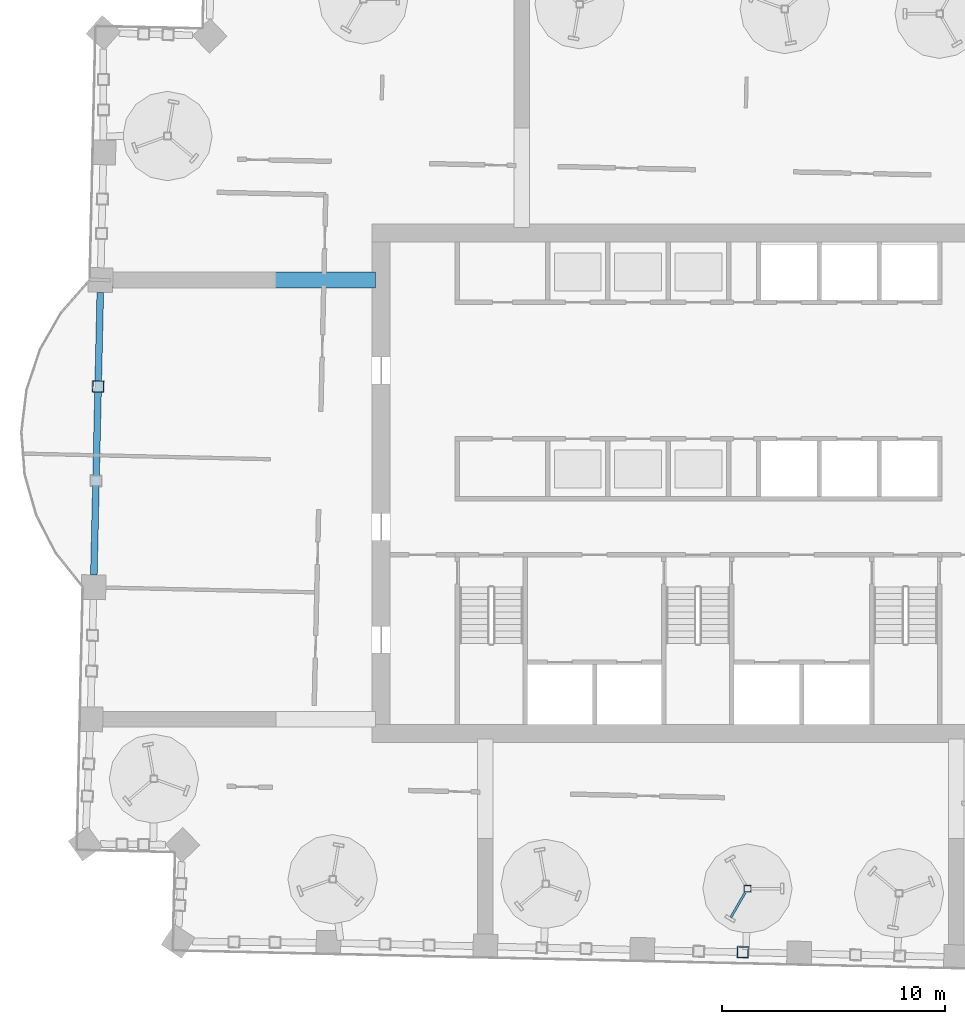
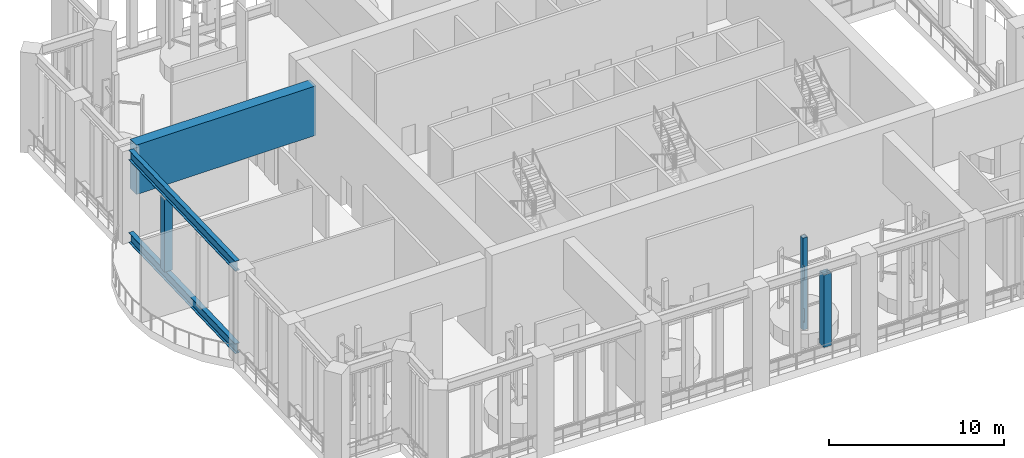
# One storey, part 3 of 33: 7 members, 1 beam.
"""IFC4 building model written with IfcOpenShell, lengths in metres."""

from ifc_helpers import new_model, si_unit, direction, frame, origin, origin_2d, place, context, subcontext, project, spatial, rectangle, hollow_rectangle, i_section, extrude, material, material_profile, profile_set, type_object, element, save


model = new_model("IFC4")

# Units and contexts
model_context = context("Model", 3, precision=1e-05, world=origin(), true_north=direction((0.0, 1.0)))
body_context = subcontext(model_context, "Body", "Model", "MODEL_VIEW")
ifc_project = project(units=[si_unit("LENGTHUNIT", "METRE"), si_unit("AREAUNIT", "SQUARE_METRE"), si_unit("VOLUMEUNIT", "CUBIC_METRE"), si_unit("PLANEANGLEUNIT", "RADIAN"), si_unit("MASSUNIT", "GRAM", prefix="KILO")], contexts=[model_context])

# Site, building, storey
site_placement = place(None, origin())
site = spatial("IfcSite", under=ifc_project, at=site_placement, CompositionType="ELEMENT")
building_placement = place(site_placement, origin())
building = spatial("IfcBuilding", under=site, at=building_placement, Name="Mangrove Gate Tower", CompositionType="ELEMENT")
storey_placement = place(building_placement, frame((0.0, 0.0, 219.5)))
storey = spatial("IfcBuildingStorey", under=building, at=storey_placement, Name="L56", CompositionType="ELEMENT", Elevation=219.5)

# Members
ifc_material_1 = material(Name="Steel S355J2", Category="steel")
ifc_material_profile_1 = material_profile(ifc_material_1, i_section(OverallWidth=0.300048828125, OverallDepth=0.699951171875, WebThickness=0.01708984375, FlangeThickness=0.031982421875, FilletRadius=0.027099609375, at=origin_2d()))
ifc_profile_set_1 = profile_set([ifc_material_profile_1], Name="Steel S355J2")
member_type_1 = type_object("IfcMemberType", Name="Belt truss chord HE 700 B", PredefinedType="CHORD", material=ifc_profile_set_1)
for number, where, z_axis, x_axis, name in (
    (1, (-26.771728515625, 8.548583984375, 0.35009765625), (-0.02267450167, -0.999742900437, 0.0), (0.999742900437, -0.02267450167, 0.0), "Belt truss bottom chord L56 29"),
    (2, (-26.771728515625, 8.548583984375, 6.10009765625), (-0.02267450167, -0.999742900437, 0.0), (0.999742900437, -0.02267450167, 0.0), "Belt truss top chord L56 29"),
):
    element("IfcMember", number, at=place(storey_placement, frame(where, z_axis=z_axis, x_axis=x_axis)), inside=storey, type_object=member_type_1, Name=name, PredefinedType="CHORD", context=body_context, shape_type="SweptSolid", body=[
        extrude(i_section(OverallWidth=0.300048828125, OverallDepth=0.699951171875, WebThickness=0.01708984375, FlangeThickness=0.031982421875, FilletRadius=0.027099609375, at=origin_2d()), origin(), (0.0, 0.0, 1.0), 12.6513671875),
    ])
ifc_material_2 = material(Name="Steel S355J2H", Category="steel")
ifc_material_profile_2 = material_profile(ifc_material_2, hollow_rectangle(XDim=0.5, YDim=0.5, WallThickness=0.02001953125, at=origin_2d()))
ifc_profile_set_2 = profile_set([ifc_material_profile_2], Name="Steel S355J2H")
member_type_2 = type_object("IfcMemberType", Name="Belt truss post SHS 500x500x20", PredefinedType="POST", material=ifc_profile_set_2)
for number, where, z_axis, x_axis, name in (
    (3, (1.986572265625, -20.987060546875, 0.699951171875), (0.0, 0.0, 1.0), (0.999743742523, -0.022637342732, 0.0), "Belt truss post L56 07-2"),
    (4, (-26.8671875, 4.33251953125, 0.699951171875), (0.0, 0.0, 1.0), (-0.022688345603, -0.999742586356, 0.0), "Belt truss post L56 29-1"),
):
    element("IfcMember", number, at=place(storey_placement, frame(where, z_axis=z_axis, x_axis=x_axis)), inside=storey, type_object=member_type_2, Name=name, PredefinedType="POST", context=body_context, shape_type="SweptSolid", body=[
        extrude(hollow_rectangle(XDim=0.5, YDim=0.5, WallThickness=0.02001953125, at=origin_2d()), origin(), (0.0, 0.0, 1.0), 5.050048828125),
    ])

# Beam
ifc_material_3 = material(Name="Concrete C60/75", Category="concrete")
ifc_material_profile_3 = material_profile(ifc_material_3, rectangle(XDim=0.699951171875, YDim=3.449951171875, at=origin_2d()))
ifc_profile_set_3 = profile_set([ifc_material_profile_3], Name="Concrete C60/75")
beam_type = type_object("IfcBeamType", Name="Outrigger coupling beam RC 700x3450 C60/75", PredefinedType="BEAM", material=ifc_profile_set_3)
beam_placement = place(storey_placement, frame((-14.449951171875, 9.0986328125, 4.72509765625), z_axis=(-1.0, 0.0, 0.0), x_axis=(0.0, -1.0, 0.0)))
element("IfcBeam", 5, at=beam_placement, inside=storey, type_object=beam_type, Name="Outrigger coupling beam L56 OR2", PredefinedType="BEAM", context=body_context, shape_type="SweptSolid", body=[
    extrude(rectangle(XDim=0.699951171875, YDim=3.449951171875, at=origin_2d()), origin(), (0.0, 0.0, 1.0), 11.859130859375),
])

# Members
ifc_material_4 = material(Name="Steel S355J2H", Category="steel")
ifc_material_profile_4 = material_profile(ifc_material_4, hollow_rectangle(XDim=0.10009765625, YDim=0.10009765625, WallThickness=0.008056640625, at=origin_2d()))
ifc_profile_set_4 = profile_set([ifc_material_profile_4], Name="Steel S355J2H")
member_type_3 = type_object("IfcMemberType", Name="Turbine hub arm RHS 100x100x8", PredefinedType="STRUT", material=ifc_profile_set_4)
for number, where, z_axis, x_axis, name in (
    (6, (2.089111328125, -18.323974609375, 1.5), (-0.499922110319, -0.866070368743, 0.0), (0.866070368743, -0.499922110319, 0.0), "TURBINE ARM L56 7.3.1"),
    (7, (2.089111328125, -18.323974609375, 4.5), (-0.499922110319, -0.866070368743, 0.0), (0.866070368743, -0.499922110319, 0.0), "TURBINE ARM L56 7.3.2"),
):
    element("IfcMember", number, at=place(storey_placement, frame(where, z_axis=z_axis, x_axis=x_axis)), inside=storey, type_object=member_type_3, Name=name, PredefinedType="STRUT", context=body_context, shape_type="SweptSolid", body=[
        extrude(hollow_rectangle(XDim=0.10009765625, YDim=0.10009765625, WallThickness=0.008056640625, at=origin_2d()), origin(), (0.0, 0.0, 1.0), 1.270263671875),
    ])
ifc_material_5 = material(Name="Steel S355J2H", Category="steel")
ifc_material_profile_5 = material_profile(ifc_material_5, hollow_rectangle(XDim=0.300048828125, YDim=0.300048828125, WallThickness=0.011962890625, at=origin_2d()))
ifc_profile_set_5 = profile_set([ifc_material_profile_5], Name="Steel S355J2H")
member_type_4 = type_object("IfcMemberType", Name="Turbine mast RHS 300x300x12", PredefinedType="USERDEFINED", material=ifc_profile_set_5)
member_placement = place(storey_placement, frame((2.195068359375, -18.14111328125, 0.02001953125), z_axis=(0.0, 0.0, 1.0), x_axis=(1.0, 0.0, 0.0)))
element("IfcMember", 8, at=member_placement, inside=storey, type_object=member_type_4, Name="TURBINE MAST L56 7", ObjectType="TURBINE MAST", PredefinedType="USERDEFINED", context=body_context, shape_type="SweptSolid", body=[
    extrude(hollow_rectangle(XDim=0.300048828125, YDim=0.300048828125, WallThickness=0.011962890625, at=origin_2d()), origin(), (0.0, 0.0, 1.0), 6.409912109375),
])

save(model, "model.ifc")
